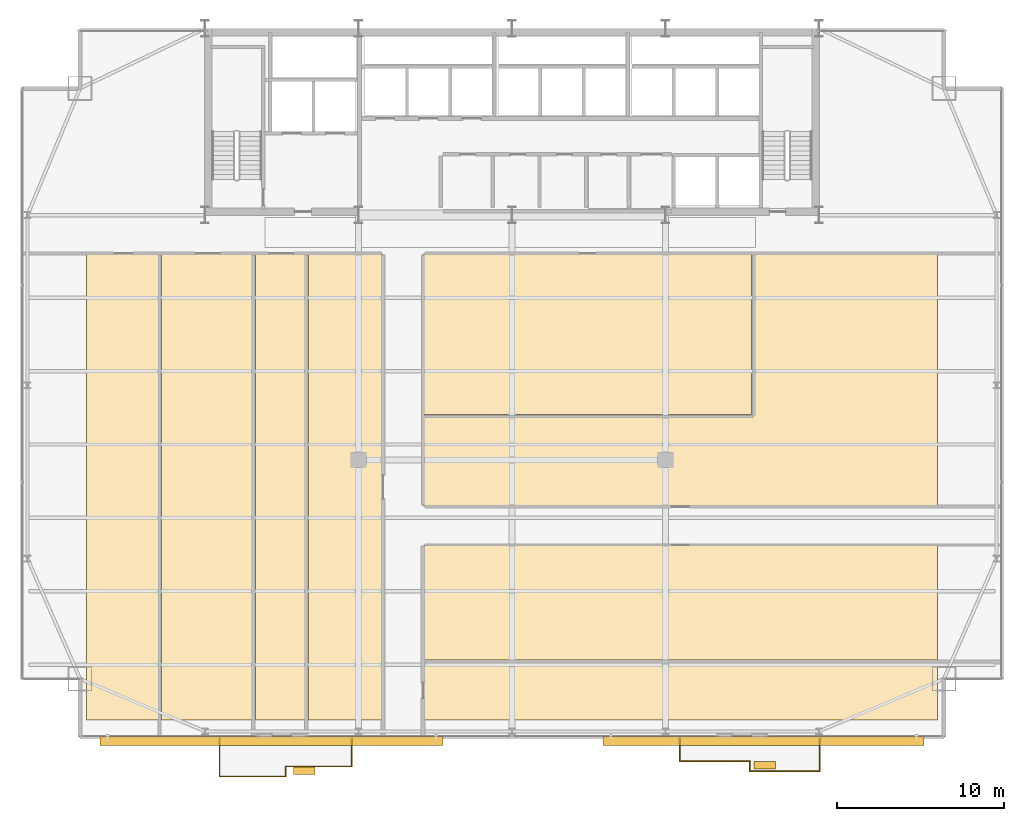
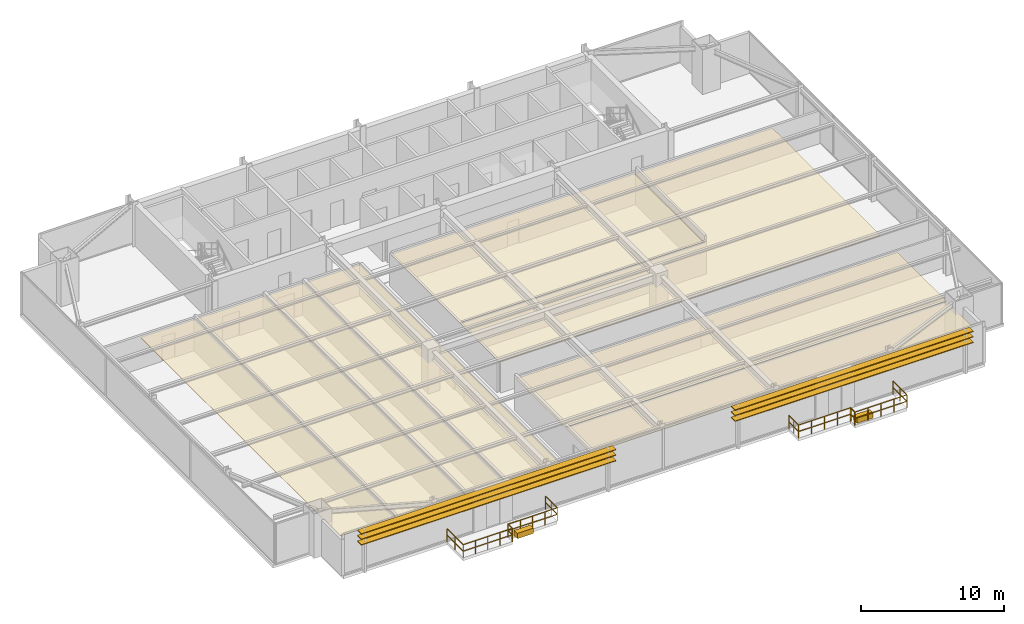
# One storey, part 30 of 31: 10 coverings, 10 railings, 6 shading devices.
"""IFC4 building model written with IfcOpenShell, lengths in metres."""

import ifcopenshell
import ifcopenshell.guid

model = None  # the IFC model being written
_history = None  # IfcOwnerHistory: only IFC2X3 demands one
_inside = {}  # id of a spatial element -> (the spatial element, [elements in it])
_under = {}  # id of a project, library or spatial element -> (it, [spatial elements below it])
_declared = {}  # id of a project -> (the project, [libraries it declares])
_typed = {}  # id of a type object -> (the type object, [elements of that type])
_made_of = {}  # id of a material, layer set ... -> (it, [elements and type objects made of it])


def new_model(schema):
    """Start an empty IFC model of exactly this schema.

    Asked for "IFC4X3", IfcOpenShell would pick the latest addendum, in which some entities
    have other attributes; the version numbers below select the first issue.
    IFC2X3 requires an IfcOwnerHistory on every rooted entity: one is made here for all.
    """
    global model, _history
    if schema == "IFC4X3":
        model = ifcopenshell.file(schema_version=(4, 3, 0, 0))
    else:
        model = ifcopenshell.file(schema=schema)
    _inside.clear()
    _under.clear()
    _declared.clear()
    _typed.clear()
    _made_of.clear()
    _history = None
    if model.schema == "IFC2X3":
        org = make("IfcOrganization", Name="unknown")
        user = make(
            "IfcPersonAndOrganization",
            ThePerson=make("IfcPerson", FamilyName="unknown"),
            TheOrganization=org,
        )
        app = make(
            "IfcApplication",
            ApplicationDeveloper=org,
            Version="unknown",
            ApplicationFullName="unknown",
            ApplicationIdentifier="unknown",
        )
        _history = make(
            "IfcOwnerHistory",
            OwningUser=user,
            OwningApplication=app,
            ChangeAction="ADDED",
            CreationDate=0,
        )
    return model


def make(cls, **values):
    """One entity of the class cls with the attributes given. An attribute that is None is left unset."""
    return model.create_entity(
        cls, **{name: value for name, value in values.items() if value is not None}
    )


def rooted(cls, **values):
    """An entity with a GlobalId (a new one), such as an element, a storey or a relation."""
    return make(cls, GlobalId=ifcopenshell.guid.new(), OwnerHistory=_history, **values)


def si_unit(unit_type, name, prefix=None):
    """IfcSIUnit, for example si_unit("LENGTHUNIT", "METRE", prefix="MILLI")."""
    return make("IfcSIUnit", UnitType=unit_type, Prefix=prefix, Name=name)


def assignment(units):
    """IfcUnitAssignment: the units of a project."""
    return None if units is None else make("IfcUnitAssignment", Units=units)


def point(xyz):
    """IfcCartesianPoint."""
    return None if xyz is None else make("IfcCartesianPoint", Coordinates=xyz)


def direction(xyz):
    """IfcDirection."""
    return None if xyz is None else make("IfcDirection", DirectionRatios=xyz)


def frame(location, z_axis=None, x_axis=None):
    """IfcAxis2Placement3D, a coordinate frame: its origin and axes. An axis left out is left unset."""
    return make(
        "IfcAxis2Placement3D",
        Location=point(location),
        Axis=direction(z_axis),
        RefDirection=direction(x_axis),
    )


def frame_2d(location, x_axis=None):
    """IfcAxis2Placement2D, a coordinate frame in the plane: its origin and x axis."""
    return make(
        "IfcAxis2Placement2D", Location=point(location), RefDirection=direction(x_axis)
    )


def origin():
    """The frame at (0, 0, 0) with its axes left unset."""
    return frame((0.0, 0.0, 0.0))


def origin_2d():
    """The frame at (0, 0) in the plane with its x axis left unset."""
    return frame_2d((0.0, 0.0))


def place(relative_to, where):
    """IfcLocalPlacement: puts the frame where relative to a parent placement (None: the world)."""
    return make(
        "IfcLocalPlacement", PlacementRelTo=relative_to, RelativePlacement=where
    )


def context(
    kind, dimensions, precision=None, world=None, true_north=None, identifier=None
):
    """IfcGeometricRepresentationContext, for example the 3D "Model" context."""
    return make(
        "IfcGeometricRepresentationContext",
        ContextIdentifier=identifier,
        ContextType=kind,
        CoordinateSpaceDimension=dimensions,
        Precision=precision,
        WorldCoordinateSystem=world,
        TrueNorth=true_north,
    )


def subcontext(parent, identifier, kind, view, scale=None):
    """IfcGeometricRepresentationSubContext, for example "Body" below "Model"."""
    return make(
        "IfcGeometricRepresentationSubContext",
        ContextIdentifier=identifier,
        ContextType=kind,
        ParentContext=parent,
        TargetScale=scale,
        TargetView=view,
    )


def project(units=None, contexts=None):
    """IfcProject with its units and contexts."""
    return rooted(
        "IfcProject",
        Name="project",
        RepresentationContexts=contexts,
        UnitsInContext=assignment(units),
    )


def spatial(cls, under=None, at=None, **own):
    """A site, building, storey or space (cls), placed at a placement, below another one or the project."""
    s = rooted(cls, ObjectPlacement=at, **own)
    if under is not None:
        _under.setdefault(under.id(), (under, []))[1].append(s)
    return s


def polyline(points):
    """IfcPolyline through the points."""
    return make("IfcPolyline", Points=[point(p) for p in points])


def profile(cls, at=None, kind="AREA", **sizes):
    """A parametric profile (cls). Its sizes go by their IFC names, for example OverallWidth=200.0."""
    return make(cls, ProfileType=kind, Position=at, **sizes)


def rectangle(**sizes):
    """IfcRectangleProfileDef."""
    return profile("IfcRectangleProfileDef", **sizes)


def outline(outer, holes=None, kind="AREA"):
    """IfcArbitraryClosedProfileDef: a profile drawn as a closed curve; with holes, ...WithVoids."""
    if holes is None:
        return make("IfcArbitraryClosedProfileDef", ProfileType=kind, OuterCurve=outer)
    return make(
        "IfcArbitraryProfileDefWithVoids",
        ProfileType=kind,
        OuterCurve=outer,
        InnerCurves=holes,
    )


def extrude(swept, where, along, depth):
    """IfcExtrudedAreaSolid: the profile swept, set in the frame where, extruded along a direction by depth."""
    return make(
        "IfcExtrudedAreaSolid",
        SweptArea=swept,
        Position=where,
        ExtrudedDirection=direction(along),
        Depth=depth,
    )


def shape(context_of_items, identifier, shape_type, items):
    """IfcShapeRepresentation: the items that make up one representation, for example the "Body"."""
    return make(
        "IfcShapeRepresentation",
        ContextOfItems=context_of_items,
        RepresentationIdentifier=identifier,
        RepresentationType=shape_type,
        Items=items,
    )


def source(mapping_origin, context_of_items, identifier, shape_type, items):
    """IfcRepresentationMap: a shape defined once, which mapped items show again and again."""
    return make(
        "IfcRepresentationMap",
        MappingOrigin=mapping_origin,
        MappedRepresentation=shape(context_of_items, identifier, shape_type, items),
    )


def transform(
    local_origin,
    x_axis=None,
    y_axis=None,
    z_axis=None,
    scale=None,
    scale2=None,
    scale3=None,
    uniform=True,
):
    """IfcCartesianTransformationOperator3D, or its non-uniform kind. x_axis, y_axis, z_axis: its Axis1, 2, 3."""
    if uniform:
        return make(
            "IfcCartesianTransformationOperator3D",
            Axis1=direction(x_axis),
            Axis2=direction(y_axis),
            LocalOrigin=point(local_origin),
            Scale=scale,
            Axis3=direction(z_axis),
        )
    return make(
        "IfcCartesianTransformationOperator3DnonUniform",
        Axis1=direction(x_axis),
        Axis2=direction(y_axis),
        LocalOrigin=point(local_origin),
        Scale=scale,
        Axis3=direction(z_axis),
        Scale2=scale2,
        Scale3=scale3,
    )


def mapped(mapping_source, mapping_target):
    """IfcMappedItem: shows the shape of a source again, moved by a transform."""
    return make(
        "IfcMappedItem", MappingSource=mapping_source, MappingTarget=mapping_target
    )


def material(Name=None, Category=None):
    """IfcMaterial."""
    return make("IfcMaterial", Name=Name, Category=Category)


def layer(
    of_material, thickness, ventilated=None, Name=None, Category=None, Priority=None
):
    """IfcMaterialLayer: one layer of a wall or slab, of a material (None: an air gap)."""
    return make(
        "IfcMaterialLayer",
        Material=of_material,
        LayerThickness=thickness,
        IsVentilated=ventilated,
        Name=Name,
        Category=Category,
        Priority=Priority,
    )


def layer_set(layers, Name=None):
    """IfcMaterialLayerSet."""
    return make("IfcMaterialLayerSet", MaterialLayers=layers, LayerSetName=Name)


def made_of(thing, what):
    """Note that an element or type object is made of a material, layer set ...; save() writes the relation."""
    if what is not None:
        _made_of.setdefault(what.id(), (what, []))[1].append(thing)
    return thing


def type_object(cls, material=None, **own):
    """A type object (cls), such as IfcWallType, which elements share."""
    return made_of(rooted(cls, **own), material)


def type_shapes(of_type, sources):
    """Give a type object the sources (RepresentationMaps) that its elements show as mapped items."""
    of_type.RepresentationMaps = sources


def element(
    cls,
    number,
    at=None,
    inside=None,
    cuts=None,
    type_object=None,
    material=None,
    context=None,
    identifier="Body",
    shape_type=None,
    held_by="IfcProductDefinitionShape",
    body=None,
    shapes=None,
    **own,
):
    """One element of the class cls, such as IfcWall. Its Tag is "e" and its number.

    at: its placement. inside: the storey or other place that contains it. cuts: it is an
    opening in that element (IfcRelVoidsElement). A single representation is given by context,
    identifier, shape_type and body (its items); several are given by shapes. held_by: the class
    of the entity that holds the representations. save() writes the other relations.
    """
    e = rooted(cls, Tag="e%d" % number, ObjectPlacement=at, **own)
    if body is not None:
        shapes = [shape(context, identifier, shape_type, body)]
    if shapes is not None:
        e.Representation = make(held_by, Representations=shapes)
    if inside is not None:
        _inside.setdefault(inside.id(), (inside, []))[1].append(e)
    if cuts is not None:
        rooted(
            "IfcRelVoidsElement", RelatingBuildingElement=cuts, RelatedOpeningElement=e
        )
    if type_object is not None:
        _typed.setdefault(type_object.id(), (type_object, []))[1].append(e)
    return made_of(e, material)


def aggregate(whole, parts):
    """IfcRelAggregates: a whole, such as a stair, and the parts it consists of."""
    return rooted("IfcRelAggregates", RelatingObject=whole, RelatedObjects=parts)


def save(model, path):
    """Write the relations noted so far, then the file.

    IfcRelAggregates (storeys below a building ...), IfcRelContainedInSpatialStructure (elements
    in a storey), IfcRelDefinesByType, IfcRelAssociatesMaterial and IfcRelDeclares: one each for
    every whole, place, type object, material and project.
    """
    for whole, parts in _under.values():
        aggregate(whole, parts)
    for where, things in _inside.values():
        rooted(
            "IfcRelContainedInSpatialStructure",
            RelatedElements=things,
            RelatingStructure=where,
        )
    for kind, things in _typed.values():
        rooted("IfcRelDefinesByType", RelatedObjects=things, RelatingType=kind)
    for what, things in _made_of.values():
        rooted("IfcRelAssociatesMaterial", RelatedObjects=things, RelatingMaterial=what)
    for by, libraries in _declared.values():
        rooted("IfcRelDeclares", RelatingContext=by, RelatedDefinitions=libraries)
    model.write(path)


model = new_model("IFC4")

# Units and contexts
model_context = context("Model", 3, precision=1e-05, world=origin(), true_north=direction((0.0, 1.0)))
body_context = subcontext(model_context, "Body", "Model", "MODEL_VIEW")
ifc_project = project(units=[si_unit("LENGTHUNIT", "METRE"), si_unit("AREAUNIT", "SQUARE_METRE"), si_unit("VOLUMEUNIT", "CUBIC_METRE"), si_unit("PLANEANGLEUNIT", "RADIAN"), si_unit("MASSUNIT", "GRAM", prefix="KILO")], contexts=[model_context])

# Site, building, storey
site_placement = place(None, origin())
site = spatial("IfcSite", under=ifc_project, at=site_placement, CompositionType="ELEMENT")
building_placement = place(site_placement, origin())
building = spatial("IfcBuilding", under=site, at=building_placement, Name="Varnel Quay Broadcast Tower", CompositionType="ELEMENT")
storey_placement = place(building_placement, frame((0.0, 0.0, 94.60009765625)))
storey = spatial("IfcBuildingStorey", under=building, at=storey_placement, Name="L22", CompositionType="ELEMENT", Elevation=94.60009765625)

# Coverings
ifc_material_1 = material(Name="Micro-Perforated Acoustic Ceiling Tile")
ifc_layer_1 = layer(ifc_material_1, 0.0400390625, Name="Micro-Perforated Acoustic Ceiling Tile")
ifc_layer_set_1 = layer_set([ifc_layer_1], Name="Micro-Perforated Acoustic Ceiling Tile")
covering_type_1 = type_object("IfcCoveringType", Name="Cov_AcousticCeiling", PredefinedType="CEILING", material=ifc_layer_set_1)
covering_1_placement = place(storey_placement, frame((0.0, 0.0, 2.579833984375)))
element("IfcCovering", 1, at=covering_1_placement, inside=storey, type_object=covering_type_1, Name="L22 Broadcast Seminar Room 1 Acoustic Ceiling", PredefinedType="CEILING", context=body_context, shape_type="SweptSolid", body=[
    extrude(outline(polyline([(8.485107421875, 5.324951171875), (12.925048828125, 5.324951171875), (12.925048828125, 33.264892578125), (8.485107421875, 33.264892578125), (8.485107421875, 5.324951171875)])), origin(), (0.0, 0.0, 1.0), 0.0400390625),
])
covering_2_placement = place(storey_placement, frame((0.0, 0.0, 2.579833984375)))
element("IfcCovering", 2, at=covering_2_placement, inside=storey, type_object=covering_type_1, Name="L22 Podcast Recording Studio 2 Acoustic Ceiling", PredefinedType="CEILING", context=body_context, shape_type="SweptSolid", body=[
    extrude(outline(polyline([(12.9951171875, 5.324951171875), (18.544921875, 5.324951171875), (18.544921875, 33.264892578125), (12.9951171875, 33.264892578125), (12.9951171875, 5.324951171875)])), origin(), (0.0, 0.0, 1.0), 0.0400390625),
])
covering_3_placement = place(storey_placement, frame((0.0, 0.0, 2.579833984375)))
element("IfcCovering", 3, at=covering_3_placement, inside=storey, type_object=covering_type_1, Name="L22 Foley Sound Studio 3 Acoustic Ceiling", PredefinedType="CEILING", context=body_context, shape_type="SweptSolid", body=[
    extrude(outline(polyline([(18.614990234375, 5.324951171875), (21.735107421875, 5.324951171875), (21.735107421875, 33.264892578125), (18.614990234375, 33.264892578125), (18.614990234375, 5.324951171875)])), origin(), (0.0, 0.0, 1.0), 0.0400390625),
])
covering_4_placement = place(storey_placement, frame((0.0, 0.0, 2.579833984375)))
element("IfcCovering", 4, at=covering_4_placement, inside=storey, type_object=covering_type_1, Name="L22 Voice Booth 4 Acoustic Ceiling", PredefinedType="CEILING", context=body_context, shape_type="SweptSolid", body=[
    extrude(outline(polyline([(21.804931640625, 5.324951171875), (26.235107421875, 5.324951171875), (26.235107421875, 33.264892578125), (21.804931640625, 33.264892578125), (21.804931640625, 5.324951171875)])), origin(), (0.0, 0.0, 1.0), 0.0400390625),
])
covering_5_placement = place(storey_placement, frame((0.0, 0.0, 2.579833984375)))
element("IfcCovering", 5, at=covering_5_placement, inside=storey, type_object=covering_type_1, Name="L22 Audio Control Room 5 Acoustic Ceiling", PredefinedType="CEILING", context=body_context, shape_type="SweptSolid", body=[
    extrude(outline(polyline([(28.705078125, 5.324951171875), (59.514892578125, 5.324951171875), (59.514892578125, 8.864990234375), (28.705078125, 8.864990234375), (28.705078125, 5.324951171875)])), origin(), (0.0, 0.0, 1.0), 0.0400390625),
])
covering_6_placement = place(storey_placement, frame((0.0, 0.0, 2.579833984375)))
element("IfcCovering", 6, at=covering_6_placement, inside=storey, type_object=covering_type_1, Name="L22 Talent Lounge 6 Acoustic Ceiling", PredefinedType="CEILING", context=body_context, shape_type="SweptSolid", body=[
    extrude(outline(polyline([(28.705078125, 8.93505859375), (59.514892578125, 8.93505859375), (59.514892578125, 15.784912109375), (28.705078125, 15.784912109375), (28.705078125, 8.93505859375)])), origin(), (0.0, 0.0, 1.0), 0.0400390625),
])
covering_7_placement = place(storey_placement, frame((0.0, 0.0, 2.579833984375)))
element("IfcCovering", 7, at=covering_7_placement, inside=storey, type_object=covering_type_1, Name="L22 Broadcast Seminar Room 7 Acoustic Ceiling", PredefinedType="CEILING", context=body_context, shape_type="SweptSolid", body=[
    extrude(outline(polyline([(28.705078125, 18.155029296875), (59.514892578125, 18.155029296875), (59.514892578125, 33.264892578125), (48.445068359375, 33.264892578125), (48.445068359375, 23.574951171875), (28.705078125, 23.574951171875), (28.705078125, 18.155029296875)])), origin(), (0.0, 0.0, 1.0), 0.0400390625),
])
covering_8_placement = place(storey_placement, frame((0.0, 0.0, 2.579833984375)))
element("IfcCovering", 8, at=covering_8_placement, inside=storey, type_object=covering_type_1, Name="L22 Audio Control Room 8 Acoustic Ceiling", PredefinedType="CEILING", context=body_context, shape_type="SweptSolid", body=[
    extrude(outline(polyline([(28.705078125, 23.64501953125), (48.375, 23.64501953125), (48.375, 33.264892578125), (28.705078125, 33.264892578125), (28.705078125, 23.64501953125)])), origin(), (0.0, 0.0, 1.0), 0.0400390625),
])

# Railings
ifc_material_2 = material(Name="Anodised Bronze Aluminium 6063-T6", Category="aluminium")
railing_type = type_object("IfcRailingType", Name="Rail_Balustrade1150", PredefinedType="BALUSTRADE", material=ifc_material_2)
railing_1_placement = place(storey_placement, frame((16.4599609375, 1.946044921875, 0.0)))
element("IfcRailing", 9, at=railing_1_placement, inside=storey, type_object=railing_type, Name="L22 Terrace 1 Guard 1", PredefinedType="BALUSTRADE", context=body_context, shape_type="SweptSolid", body=[
    extrude(rectangle(XDim=0.048095703125, YDim=0.048095703125, at=origin_2d()), frame((0.0, 0.0, 1.1259765625), z_axis=(1.0, 0.0, 0.0), x_axis=(0.0, 1.0, 0.0)), (0.0, 0.0, 1.0), 3.969970703125),
    extrude(rectangle(XDim=0.048095703125, YDim=0.048095703125, at=origin_2d()), frame((0.0, 0.0, 0.574951171875), z_axis=(1.0, 0.0, 0.0), x_axis=(0.0, 1.0, 0.0)), (0.0, 0.0, 1.0), 3.969970703125),
    extrude(rectangle(XDim=0.0419921875, YDim=0.0419921875, at=origin_2d()), origin(), (0.0, 0.0, 1.0), 1.101806640625),
    extrude(rectangle(XDim=0.0419921875, YDim=0.0419921875, at=origin_2d()), frame((0.992431640625, 0.0, 0.0)), (0.0, 0.0, 1.0), 1.101806640625),
    extrude(rectangle(XDim=0.0419921875, YDim=0.0419921875, at=origin_2d()), frame((1.98486328125, 0.0, 0.0)), (0.0, 0.0, 1.0), 1.101806640625),
    extrude(rectangle(XDim=0.0419921875, YDim=0.0419921875, at=origin_2d()), frame((2.9775390625, 0.0, 0.0)), (0.0, 0.0, 1.0), 1.101806640625),
    extrude(rectangle(XDim=0.0419921875, YDim=0.0419921875, at=origin_2d()), frame((3.969970703125, 0.0, 0.0)), (0.0, 0.0, 1.0), 1.101806640625),
])
railing_2_placement = place(storey_placement, frame((20.429931640625, 1.946044921875, 0.0)))
element("IfcRailing", 10, at=railing_2_placement, inside=storey, type_object=railing_type, Name="L22 Terrace 1 Guard 2", PredefinedType="BALUSTRADE", context=body_context, shape_type="SweptSolid", body=[
    extrude(rectangle(XDim=0.048095703125, YDim=0.048095703125, at=origin_2d()), frame((0.0, 0.0, 1.1259765625), z_axis=(0.0, 1.0, 0.0), x_axis=(-1.0, 0.0, 0.0)), (0.0, 0.0, 1.0), 0.599853515625),
    extrude(rectangle(XDim=0.048095703125, YDim=0.048095703125, at=origin_2d()), frame((0.0, 0.0, 0.574951171875), z_axis=(0.0, 1.0, 0.0), x_axis=(-1.0, 0.0, 0.0)), (0.0, 0.0, 1.0), 0.599853515625),
    extrude(rectangle(XDim=0.0419921875, YDim=0.0419921875, at=origin_2d()), origin(), (0.0, 0.0, 1.0), 1.101806640625),
    extrude(rectangle(XDim=0.0419921875, YDim=0.0419921875, at=origin_2d()), frame((0.0, 0.599853515625, 0.0)), (0.0, 0.0, 1.0), 1.101806640625),
])
railing_3_placement = place(storey_placement, frame((20.429931640625, 2.5458984375, 0.0)))
element("IfcRailing", 11, at=railing_3_placement, inside=storey, type_object=railing_type, Name="L22 Terrace 1 Guard 3", PredefinedType="BALUSTRADE", context=body_context, shape_type="SweptSolid", body=[
    extrude(rectangle(XDim=0.048095703125, YDim=0.048095703125, at=origin_2d()), frame((0.0, 0.0, 1.1259765625), z_axis=(1.0, 0.0, 0.0), x_axis=(0.0, 1.0, 0.0)), (0.0, 0.0, 1.0), 3.969970703125),
    extrude(rectangle(XDim=0.048095703125, YDim=0.048095703125, at=origin_2d()), frame((0.0, 0.0, 0.574951171875), z_axis=(1.0, 0.0, 0.0), x_axis=(0.0, 1.0, 0.0)), (0.0, 0.0, 1.0), 3.969970703125),
    extrude(rectangle(XDim=0.0419921875, YDim=0.0419921875, at=origin_2d()), origin(), (0.0, 0.0, 1.0), 1.101806640625),
    extrude(rectangle(XDim=0.0419921875, YDim=0.0419921875, at=origin_2d()), frame((0.992431640625, 0.0, 0.0)), (0.0, 0.0, 1.0), 1.101806640625),
    extrude(rectangle(XDim=0.0419921875, YDim=0.0419921875, at=origin_2d()), frame((1.98486328125, 0.0, 0.0)), (0.0, 0.0, 1.0), 1.101806640625),
    extrude(rectangle(XDim=0.0419921875, YDim=0.0419921875, at=origin_2d()), frame((2.9775390625, 0.0, 0.0)), (0.0, 0.0, 1.0), 1.101806640625),
    extrude(rectangle(XDim=0.0419921875, YDim=0.0419921875, at=origin_2d()), frame((3.969970703125, 0.0, 0.0)), (0.0, 0.0, 1.0), 1.101806640625),
])
railing_4_placement = place(storey_placement, frame((24.39990234375, 2.5458984375, 0.0)))
element("IfcRailing", 12, at=railing_4_placement, inside=storey, type_object=railing_type, Name="L22 Terrace 1 Guard 4", PredefinedType="BALUSTRADE", context=body_context, shape_type="SweptSolid", body=[
    extrude(rectangle(XDim=0.048095703125, YDim=0.048095703125, at=origin_2d()), frame((0.0, 0.0, 1.1259765625), z_axis=(0.0, 1.0, 0.0), x_axis=(-1.0, 0.0, 0.0)), (0.0, 0.0, 1.0), 1.654052734375),
    extrude(rectangle(XDim=0.048095703125, YDim=0.048095703125, at=origin_2d()), frame((0.0, 0.0, 0.574951171875), z_axis=(0.0, 1.0, 0.0), x_axis=(-1.0, 0.0, 0.0)), (0.0, 0.0, 1.0), 1.654052734375),
    extrude(rectangle(XDim=0.0419921875, YDim=0.0419921875, at=origin_2d()), origin(), (0.0, 0.0, 1.0), 1.101806640625),
    extrude(rectangle(XDim=0.0419921875, YDim=0.0419921875, at=origin_2d()), frame((0.0, 0.8271484375, 0.0)), (0.0, 0.0, 1.0), 1.101806640625),
    extrude(rectangle(XDim=0.0419921875, YDim=0.0419921875, at=origin_2d()), frame((0.0, 1.654052734375, 0.0)), (0.0, 0.0, 1.0), 1.101806640625),
])
railing_5_placement = place(storey_placement, frame((16.4599609375, 4.199951171875, 0.0)))
element("IfcRailing", 13, at=railing_5_placement, inside=storey, type_object=railing_type, Name="L22 Terrace 1 Guard 6", PredefinedType="BALUSTRADE", context=body_context, shape_type="SweptSolid", body=[
    extrude(rectangle(XDim=0.048095703125, YDim=0.048095703125, at=origin_2d()), frame((0.0, 0.0, 1.1259765625), z_axis=(0.0, -1.0, 0.0), x_axis=(1.0, 0.0, 0.0)), (0.0, 0.0, 1.0), 2.25390625),
    extrude(rectangle(XDim=0.048095703125, YDim=0.048095703125, at=origin_2d()), frame((0.0, 0.0, 0.574951171875), z_axis=(0.0, -1.0, 0.0), x_axis=(1.0, 0.0, 0.0)), (0.0, 0.0, 1.0), 2.25390625),
    extrude(rectangle(XDim=0.0419921875, YDim=0.0419921875, at=origin_2d()), origin(), (0.0, 0.0, 1.0), 1.101806640625),
    extrude(rectangle(XDim=0.0419921875, YDim=0.0419921875, at=origin_2d()), frame((0.0, -1.126953125, 0.0)), (0.0, 0.0, 1.0), 1.101806640625),
    extrude(rectangle(XDim=0.0419921875, YDim=0.0419921875, at=origin_2d()), frame((0.0, -2.25390625, 0.0)), (0.0, 0.0, 1.0), 1.101806640625),
])
railing_6_placement = place(storey_placement, frame((44.06005859375, 2.85400390625, 0.0)))
element("IfcRailing", 14, at=railing_6_placement, inside=storey, type_object=railing_type, Name="L22 Terrace 2 Guard 1", PredefinedType="BALUSTRADE", context=body_context, shape_type="SweptSolid", body=[
    extrude(rectangle(XDim=0.048095703125, YDim=0.048095703125, at=origin_2d()), frame((0.0, 0.0, 1.1259765625), z_axis=(1.0, 0.0, 0.0), x_axis=(0.0, 1.0, 0.0)), (0.0, 0.0, 1.0), 4.199951171875),
    extrude(rectangle(XDim=0.048095703125, YDim=0.048095703125, at=origin_2d()), frame((0.0, 0.0, 0.574951171875), z_axis=(1.0, 0.0, 0.0), x_axis=(0.0, 1.0, 0.0)), (0.0, 0.0, 1.0), 4.199951171875),
    extrude(rectangle(XDim=0.0419921875, YDim=0.0419921875, at=origin_2d()), origin(), (0.0, 0.0, 1.0), 1.101806640625),
    extrude(rectangle(XDim=0.0419921875, YDim=0.0419921875, at=origin_2d()), frame((1.050048828125, 0.0, 0.0)), (0.0, 0.0, 1.0), 1.101806640625),
    extrude(rectangle(XDim=0.0419921875, YDim=0.0419921875, at=origin_2d()), frame((2.10009765625, 0.0, 0.0)), (0.0, 0.0, 1.0), 1.101806640625),
    extrude(rectangle(XDim=0.0419921875, YDim=0.0419921875, at=origin_2d()), frame((3.14990234375, 0.0, 0.0)), (0.0, 0.0, 1.0), 1.101806640625),
    extrude(rectangle(XDim=0.0419921875, YDim=0.0419921875, at=origin_2d()), frame((4.199951171875, 0.0, 0.0)), (0.0, 0.0, 1.0), 1.101806640625),
])
railing_7_placement = place(storey_placement, frame((48.260009765625, 2.85400390625, 0.0)))
element("IfcRailing", 15, at=railing_7_placement, inside=storey, type_object=railing_type, Name="L22 Terrace 2 Guard 2", PredefinedType="BALUSTRADE", context=body_context, shape_type="SweptSolid", body=[
    extrude(rectangle(XDim=0.048095703125, YDim=0.048095703125, at=origin_2d()), frame((0.0, 0.0, 1.1259765625), z_axis=(0.0, -1.0, 0.0), x_axis=(1.0, 0.0, 0.0)), (0.0, 0.0, 1.0), 0.60009765625),
    extrude(rectangle(XDim=0.048095703125, YDim=0.048095703125, at=origin_2d()), frame((0.0, 0.0, 0.574951171875), z_axis=(0.0, -1.0, 0.0), x_axis=(1.0, 0.0, 0.0)), (0.0, 0.0, 1.0), 0.60009765625),
    extrude(rectangle(XDim=0.0419921875, YDim=0.0419921875, at=origin_2d()), origin(), (0.0, 0.0, 1.0), 1.101806640625),
    extrude(rectangle(XDim=0.0419921875, YDim=0.0419921875, at=origin_2d()), frame((0.0, -0.60009765625, 0.0)), (0.0, 0.0, 1.0), 1.101806640625),
])
railing_8_placement = place(storey_placement, frame((48.260009765625, 2.25390625, 0.0)))
element("IfcRailing", 16, at=railing_8_placement, inside=storey, type_object=railing_type, Name="L22 Terrace 2 Guard 3", PredefinedType="BALUSTRADE", context=body_context, shape_type="SweptSolid", body=[
    extrude(rectangle(XDim=0.048095703125, YDim=0.048095703125, at=origin_2d()), frame((0.0, 0.0, 1.1259765625), z_axis=(1.0, 0.0, 0.0), x_axis=(0.0, 1.0, 0.0)), (0.0, 0.0, 1.0), 4.199951171875),
    extrude(rectangle(XDim=0.048095703125, YDim=0.048095703125, at=origin_2d()), frame((0.0, 0.0, 0.574951171875), z_axis=(1.0, 0.0, 0.0), x_axis=(0.0, 1.0, 0.0)), (0.0, 0.0, 1.0), 4.199951171875),
    extrude(rectangle(XDim=0.0419921875, YDim=0.0419921875, at=origin_2d()), origin(), (0.0, 0.0, 1.0), 1.101806640625),
    extrude(rectangle(XDim=0.0419921875, YDim=0.0419921875, at=origin_2d()), frame((1.050048828125, 0.0, 0.0)), (0.0, 0.0, 1.0), 1.101806640625),
    extrude(rectangle(XDim=0.0419921875, YDim=0.0419921875, at=origin_2d()), frame((2.10009765625, 0.0, 0.0)), (0.0, 0.0, 1.0), 1.101806640625),
    extrude(rectangle(XDim=0.0419921875, YDim=0.0419921875, at=origin_2d()), frame((3.14990234375, 0.0, 0.0)), (0.0, 0.0, 1.0), 1.101806640625),
    extrude(rectangle(XDim=0.0419921875, YDim=0.0419921875, at=origin_2d()), frame((4.199951171875, 0.0, 0.0)), (0.0, 0.0, 1.0), 1.101806640625),
])
railing_9_placement = place(storey_placement, frame((52.4599609375, 2.25390625, 0.0)))
element("IfcRailing", 17, at=railing_9_placement, inside=storey, type_object=railing_type, Name="L22 Terrace 2 Guard 4", PredefinedType="BALUSTRADE", context=body_context, shape_type="SweptSolid", body=[
    extrude(rectangle(XDim=0.048095703125, YDim=0.048095703125, at=origin_2d()), frame((0.0, 0.0, 1.1259765625), z_axis=(0.0, 1.0, 0.0), x_axis=(-1.0, 0.0, 0.0)), (0.0, 0.0, 1.0), 1.946044921875),
    extrude(rectangle(XDim=0.048095703125, YDim=0.048095703125, at=origin_2d()), frame((0.0, 0.0, 0.574951171875), z_axis=(0.0, 1.0, 0.0), x_axis=(-1.0, 0.0, 0.0)), (0.0, 0.0, 1.0), 1.946044921875),
    extrude(rectangle(XDim=0.0419921875, YDim=0.0419921875, at=origin_2d()), origin(), (0.0, 0.0, 1.0), 1.101806640625),
    extrude(rectangle(XDim=0.0419921875, YDim=0.0419921875, at=origin_2d()), frame((0.0, 0.97314453125, 0.0)), (0.0, 0.0, 1.0), 1.101806640625),
    extrude(rectangle(XDim=0.0419921875, YDim=0.0419921875, at=origin_2d()), frame((0.0, 1.946044921875, 0.0)), (0.0, 0.0, 1.0), 1.101806640625),
])
railing_10_placement = place(storey_placement, frame((44.06005859375, 4.199951171875, 0.0)))
element("IfcRailing", 18, at=railing_10_placement, inside=storey, type_object=railing_type, Name="L22 Terrace 2 Guard 6", PredefinedType="BALUSTRADE", context=body_context, shape_type="SweptSolid", body=[
    extrude(rectangle(XDim=0.048095703125, YDim=0.048095703125, at=origin_2d()), frame((0.0, 0.0, 1.1259765625), z_axis=(0.0, -1.0, 0.0), x_axis=(1.0, 0.0, 0.0)), (0.0, 0.0, 1.0), 1.345947265625),
    extrude(rectangle(XDim=0.048095703125, YDim=0.048095703125, at=origin_2d()), frame((0.0, 0.0, 0.574951171875), z_axis=(0.0, -1.0, 0.0), x_axis=(1.0, 0.0, 0.0)), (0.0, 0.0, 1.0), 1.345947265625),
    extrude(rectangle(XDim=0.0419921875, YDim=0.0419921875, at=origin_2d()), origin(), (0.0, 0.0, 1.0), 1.101806640625),
    extrude(rectangle(XDim=0.0419921875, YDim=0.0419921875, at=origin_2d()), frame((0.0, -0.6728515625, 0.0)), (0.0, 0.0, 1.0), 1.101806640625),
    extrude(rectangle(XDim=0.0419921875, YDim=0.0419921875, at=origin_2d()), frame((0.0, -1.345947265625, 0.0)), (0.0, 0.0, 1.0), 1.101806640625),
])

# Coverings
ifc_material_3 = material(Name="Bronze-Terracotta Extruded Ceramic Blade", Category="masonry")
ifc_layer_2 = layer(ifc_material_3, 0.449951171875, Name="Bronze-Terracotta Extruded Ceramic Blade")
ifc_layer_set_2 = layer_set([ifc_layer_2], Name="Bronze-Terracotta Extruded Ceramic Blade")
covering_type_2 = type_object("IfcCoveringType", Name="Cov_BronzePlanter", PredefinedType="CLADDING", material=ifc_layer_set_2)
shared_shape_1 = source(origin(), body_context, "Body", "SweptSolid", [
    extrude(rectangle(XDim=1.300048828125, YDim=0.449951171875, at=origin_2d()), origin(), (0.0, 0.0, 1.0), 0.449951171875),
])
type_shapes(covering_type_2, [shared_shape_1])
for number, where, z_axis, x_axis, name in (
    (19, (21.550048828125, 2.2958984375, 0.0), (0.0, 0.0, 1.0), (1.0, 0.0, 0.0), "L22 Terrace 1 Bronze Planter"),
    (20, (49.14990234375, 2.60400390625, 0.0), (0.0, 0.0, 1.0), (1.0, 0.0, 0.0), "L22 Terrace 2 Bronze Planter"),
):
    element("IfcCovering", number, at=place(storey_placement, frame(where, z_axis=z_axis, x_axis=x_axis)), inside=storey, type_object=covering_type_2, Name=name, PredefinedType="CLADDING", context=body_context, shape_type="MappedRepresentation", body=[
        mapped(shared_shape_1, transform((0.0, 0.0, 0.0), x_axis=(1.0, 0.0, 0.0), y_axis=(0.0, 1.0, 0.0), z_axis=(0.0, 0.0, 1.0), scale=1.0)),
    ])

# Shading devices
ifc_layer_3 = layer(ifc_material_3, 0.06494140625, Name="Bronze-Terracotta Extruded Ceramic Blade")
ifc_layer_set_3 = layer_set([ifc_layer_3], Name="Bronze-Terracotta Extruded Ceramic Blade")
shading_device_type = type_object("IfcShadingDeviceType", Name="Shade_LouvreBlade550", PredefinedType="JALOUSIE", material=ifc_layer_set_3)
shared_shape_2 = source(origin(), body_context, "Body", "SweptSolid", [
    extrude(rectangle(XDim=20.569091796875, YDim=0.550048828125, at=origin_2d()), origin(), (0.0, 0.0, 1.0), 0.06494140625),
])
for number, where, z_axis, x_axis, name in (
    (21, (19.583984375, 4.06005859375, 2.447509765625), (0.0, 0.0, 1.0), (1.0, 0.0, 0.0), "L22 Lobe 1 Horizontal Louvre Blade 1"),
    (22, (19.583984375, 4.06005859375, 2.927490234375), (0.0, 0.0, 1.0), (1.0, 0.0, 0.0), "L22 Lobe 1 Horizontal Louvre Blade 2"),
    (23, (19.583984375, 4.06005859375, 3.387451171875), (0.0, 0.0, 1.0), (1.0, 0.0, 0.0), "L22 Lobe 1 Horizontal Louvre Blade 3"),
):
    element("IfcShadingDevice", number, at=place(storey_placement, frame(where, z_axis=z_axis, x_axis=x_axis)), inside=storey, type_object=shading_device_type, Name=name, PredefinedType="JALOUSIE", context=body_context, shape_type="MappedRepresentation", body=[
        mapped(shared_shape_2, transform((0.0, 0.0, 0.0), x_axis=(1.0, 0.0, 0.0), y_axis=(0.0, 1.0, 0.0), z_axis=(0.0, 0.0, 1.0), scale=1.0)),
    ])
shared_shape_3 = source(origin(), body_context, "Body", "SweptSolid", [
    extrude(rectangle(XDim=19.23095703125, YDim=0.550048828125, at=origin_2d()), origin(), (0.0, 0.0, 1.0), 0.06494140625),
])
type_shapes(shading_device_type, [shared_shape_2, shared_shape_3])
for number, where, z_axis, x_axis, name in (
    (24, (49.0849609375, 4.06005859375, 2.447509765625), (0.0, 0.0, 1.0), (1.0, 0.0, 0.0), "L22 Lobe 2 Horizontal Louvre Blade 1"),
    (25, (49.0849609375, 4.06005859375, 2.927490234375), (0.0, 0.0, 1.0), (1.0, 0.0, 0.0), "L22 Lobe 2 Horizontal Louvre Blade 2"),
    (26, (49.0849609375, 4.06005859375, 3.387451171875), (0.0, 0.0, 1.0), (1.0, 0.0, 0.0), "L22 Lobe 2 Horizontal Louvre Blade 3"),
):
    element("IfcShadingDevice", number, at=place(storey_placement, frame(where, z_axis=z_axis, x_axis=x_axis)), inside=storey, type_object=shading_device_type, Name=name, PredefinedType="JALOUSIE", context=body_context, shape_type="MappedRepresentation", body=[
        mapped(shared_shape_3, transform((0.0, 0.0, 0.0), x_axis=(1.0, 0.0, 0.0), y_axis=(0.0, 1.0, 0.0), z_axis=(0.0, 0.0, 1.0), scale=1.0)),
    ])

save(model, "model.ifc")
